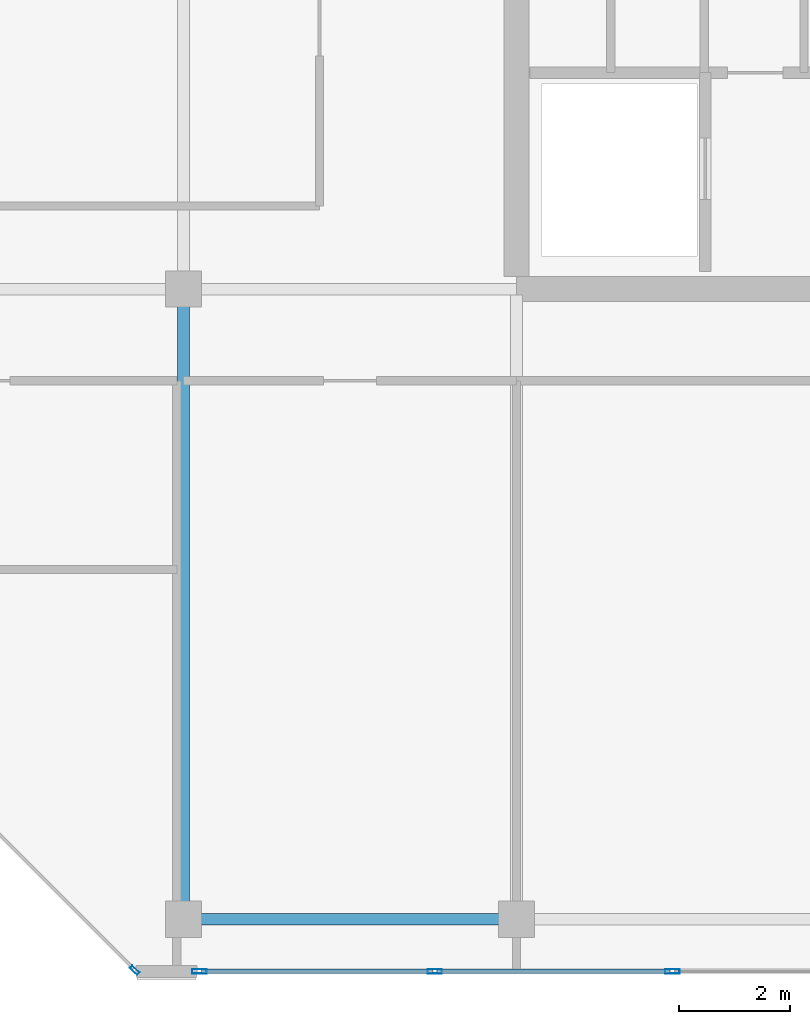
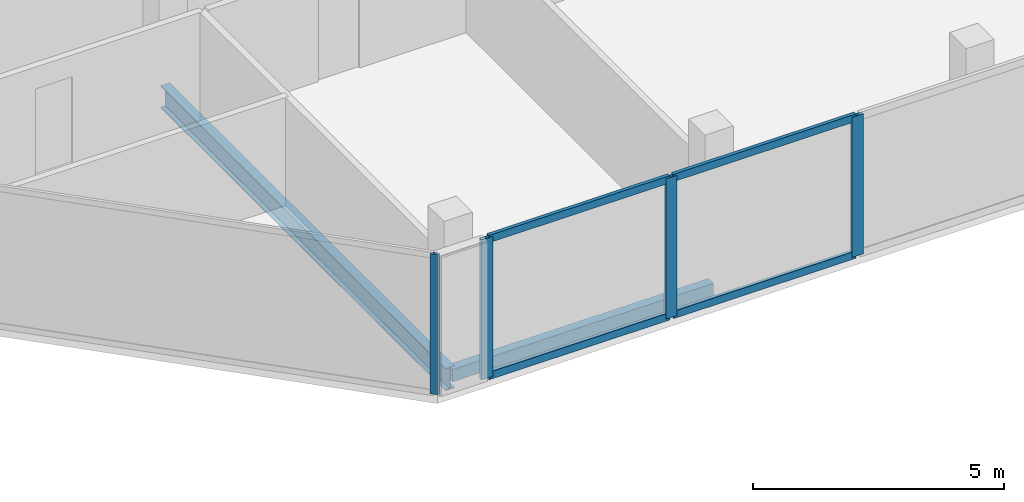
# One storey, part 10 of 28: 8 members, 2 beams, 2 elements without a shape of their own.
"""IFC4 building model written with IfcOpenShell, lengths in metres."""

import ifcopenshell
import ifcopenshell.guid

model = None  # the IFC model being written
_history = None  # IfcOwnerHistory: only IFC2X3 demands one
_inside = {}  # id of a spatial element -> (the spatial element, [elements in it])
_under = {}  # id of a project, library or spatial element -> (it, [spatial elements below it])
_declared = {}  # id of a project -> (the project, [libraries it declares])
_typed = {}  # id of a type object -> (the type object, [elements of that type])
_made_of = {}  # id of a material, layer set ... -> (it, [elements and type objects made of it])


def new_model(schema):
    """Start an empty IFC model of exactly this schema.

    Asked for "IFC4X3", IfcOpenShell would pick the latest addendum, in which some entities
    have other attributes; the version numbers below select the first issue.
    IFC2X3 requires an IfcOwnerHistory on every rooted entity: one is made here for all.
    """
    global model, _history
    if schema == "IFC4X3":
        model = ifcopenshell.file(schema_version=(4, 3, 0, 0))
    else:
        model = ifcopenshell.file(schema=schema)
    _inside.clear()
    _under.clear()
    _declared.clear()
    _typed.clear()
    _made_of.clear()
    _history = None
    if model.schema == "IFC2X3":
        org = make("IfcOrganization", Name="unknown")
        user = make(
            "IfcPersonAndOrganization",
            ThePerson=make("IfcPerson", FamilyName="unknown"),
            TheOrganization=org,
        )
        app = make(
            "IfcApplication",
            ApplicationDeveloper=org,
            Version="unknown",
            ApplicationFullName="unknown",
            ApplicationIdentifier="unknown",
        )
        _history = make(
            "IfcOwnerHistory",
            OwningUser=user,
            OwningApplication=app,
            ChangeAction="ADDED",
            CreationDate=0,
        )
    return model


def make(cls, **values):
    """One entity of the class cls with the attributes given. An attribute that is None is left unset."""
    return model.create_entity(
        cls, **{name: value for name, value in values.items() if value is not None}
    )


def rooted(cls, **values):
    """An entity with a GlobalId (a new one), such as an element, a storey or a relation."""
    return make(cls, GlobalId=ifcopenshell.guid.new(), OwnerHistory=_history, **values)


def si_unit(unit_type, name, prefix=None):
    """IfcSIUnit, for example si_unit("LENGTHUNIT", "METRE", prefix="MILLI")."""
    return make("IfcSIUnit", UnitType=unit_type, Prefix=prefix, Name=name)


def assignment(units):
    """IfcUnitAssignment: the units of a project."""
    return None if units is None else make("IfcUnitAssignment", Units=units)


def point(xyz):
    """IfcCartesianPoint."""
    return None if xyz is None else make("IfcCartesianPoint", Coordinates=xyz)


def direction(xyz):
    """IfcDirection."""
    return None if xyz is None else make("IfcDirection", DirectionRatios=xyz)


def frame(location, z_axis=None, x_axis=None):
    """IfcAxis2Placement3D, a coordinate frame: its origin and axes. An axis left out is left unset."""
    return make(
        "IfcAxis2Placement3D",
        Location=point(location),
        Axis=direction(z_axis),
        RefDirection=direction(x_axis),
    )


def frame_2d(location, x_axis=None):
    """IfcAxis2Placement2D, a coordinate frame in the plane: its origin and x axis."""
    return make(
        "IfcAxis2Placement2D", Location=point(location), RefDirection=direction(x_axis)
    )


def origin():
    """The frame at (0, 0, 0) with its axes left unset."""
    return frame((0.0, 0.0, 0.0))


def origin_2d():
    """The frame at (0, 0) in the plane with its x axis left unset."""
    return frame_2d((0.0, 0.0))


def place(relative_to, where):
    """IfcLocalPlacement: puts the frame where relative to a parent placement (None: the world)."""
    return make(
        "IfcLocalPlacement", PlacementRelTo=relative_to, RelativePlacement=where
    )


def context(
    kind, dimensions, precision=None, world=None, true_north=None, identifier=None
):
    """IfcGeometricRepresentationContext, for example the 3D "Model" context."""
    return make(
        "IfcGeometricRepresentationContext",
        ContextIdentifier=identifier,
        ContextType=kind,
        CoordinateSpaceDimension=dimensions,
        Precision=precision,
        WorldCoordinateSystem=world,
        TrueNorth=true_north,
    )


def subcontext(parent, identifier, kind, view, scale=None):
    """IfcGeometricRepresentationSubContext, for example "Body" below "Model"."""
    return make(
        "IfcGeometricRepresentationSubContext",
        ContextIdentifier=identifier,
        ContextType=kind,
        ParentContext=parent,
        TargetScale=scale,
        TargetView=view,
    )


def project(units=None, contexts=None):
    """IfcProject with its units and contexts."""
    return rooted(
        "IfcProject",
        Name="project",
        RepresentationContexts=contexts,
        UnitsInContext=assignment(units),
    )


def spatial(cls, under=None, at=None, **own):
    """A site, building, storey or space (cls), placed at a placement, below another one or the project."""
    s = rooted(cls, ObjectPlacement=at, **own)
    if under is not None:
        _under.setdefault(under.id(), (under, []))[1].append(s)
    return s


def profile(cls, at=None, kind="AREA", **sizes):
    """A parametric profile (cls). Its sizes go by their IFC names, for example OverallWidth=200.0."""
    return make(cls, ProfileType=kind, Position=at, **sizes)


def hollow_rectangle(**sizes):
    """IfcRectangleHollowProfileDef."""
    return profile("IfcRectangleHollowProfileDef", **sizes)


def i_section(**sizes):
    """IfcIShapeProfileDef."""
    return profile("IfcIShapeProfileDef", **sizes)


def extrude(swept, where, along, depth):
    """IfcExtrudedAreaSolid: the profile swept, set in the frame where, extruded along a direction by depth."""
    return make(
        "IfcExtrudedAreaSolid",
        SweptArea=swept,
        Position=where,
        ExtrudedDirection=direction(along),
        Depth=depth,
    )


def shape(context_of_items, identifier, shape_type, items):
    """IfcShapeRepresentation: the items that make up one representation, for example the "Body"."""
    return make(
        "IfcShapeRepresentation",
        ContextOfItems=context_of_items,
        RepresentationIdentifier=identifier,
        RepresentationType=shape_type,
        Items=items,
    )


def material(Name=None, Category=None):
    """IfcMaterial."""
    return make("IfcMaterial", Name=Name, Category=Category)


def layer(
    of_material, thickness, ventilated=None, Name=None, Category=None, Priority=None
):
    """IfcMaterialLayer: one layer of a wall or slab, of a material (None: an air gap)."""
    return make(
        "IfcMaterialLayer",
        Material=of_material,
        LayerThickness=thickness,
        IsVentilated=ventilated,
        Name=Name,
        Category=Category,
        Priority=Priority,
    )


def layer_set(layers, Name=None):
    """IfcMaterialLayerSet."""
    return make("IfcMaterialLayerSet", MaterialLayers=layers, LayerSetName=Name)


def material_profile(
    of_material, cross_section, Name=None, Category=None, Priority=None
):
    """IfcMaterialProfile: a cross section and its material."""
    return make(
        "IfcMaterialProfile",
        Name=Name,
        Material=of_material,
        Profile=cross_section,
        Priority=Priority,
        Category=Category,
    )


def profile_set(profiles, Name=None, composite=None):
    """IfcMaterialProfileSet."""
    return make(
        "IfcMaterialProfileSet",
        Name=Name,
        MaterialProfiles=profiles,
        CompositeProfile=composite,
    )


def made_of(thing, what):
    """Note that an element or type object is made of a material, layer set ...; save() writes the relation."""
    if what is not None:
        _made_of.setdefault(what.id(), (what, []))[1].append(thing)
    return thing


def type_object(cls, material=None, **own):
    """A type object (cls), such as IfcWallType, which elements share."""
    return made_of(rooted(cls, **own), material)


def element(
    cls,
    number,
    at=None,
    inside=None,
    cuts=None,
    type_object=None,
    material=None,
    context=None,
    identifier="Body",
    shape_type=None,
    held_by="IfcProductDefinitionShape",
    body=None,
    shapes=None,
    **own,
):
    """One element of the class cls, such as IfcWall. Its Tag is "e" and its number.

    at: its placement. inside: the storey or other place that contains it. cuts: it is an
    opening in that element (IfcRelVoidsElement). A single representation is given by context,
    identifier, shape_type and body (its items); several are given by shapes. held_by: the class
    of the entity that holds the representations. save() writes the other relations.
    """
    e = rooted(cls, Tag="e%d" % number, ObjectPlacement=at, **own)
    if body is not None:
        shapes = [shape(context, identifier, shape_type, body)]
    if shapes is not None:
        e.Representation = make(held_by, Representations=shapes)
    if inside is not None:
        _inside.setdefault(inside.id(), (inside, []))[1].append(e)
    if cuts is not None:
        rooted(
            "IfcRelVoidsElement", RelatingBuildingElement=cuts, RelatedOpeningElement=e
        )
    if type_object is not None:
        _typed.setdefault(type_object.id(), (type_object, []))[1].append(e)
    return made_of(e, material)


def aggregate(whole, parts):
    """IfcRelAggregates: a whole, such as a stair, and the parts it consists of."""
    return rooted("IfcRelAggregates", RelatingObject=whole, RelatedObjects=parts)


def save(model, path):
    """Write the relations noted so far, then the file.

    IfcRelAggregates (storeys below a building ...), IfcRelContainedInSpatialStructure (elements
    in a storey), IfcRelDefinesByType, IfcRelAssociatesMaterial and IfcRelDeclares: one each for
    every whole, place, type object, material and project.
    """
    for whole, parts in _under.values():
        aggregate(whole, parts)
    for where, things in _inside.values():
        rooted(
            "IfcRelContainedInSpatialStructure",
            RelatedElements=things,
            RelatingStructure=where,
        )
    for kind, things in _typed.values():
        rooted("IfcRelDefinesByType", RelatedObjects=things, RelatingType=kind)
    for what, things in _made_of.values():
        rooted("IfcRelAssociatesMaterial", RelatedObjects=things, RelatingMaterial=what)
    for by, libraries in _declared.values():
        rooted("IfcRelDeclares", RelatingContext=by, RelatedDefinitions=libraries)
    model.write(path)


model = new_model("IFC4")

# Units and contexts
model_context = context("Model", 3, precision=1e-05, world=origin(), true_north=direction((0.0, 1.0)))
body_context = subcontext(model_context, "Body", "Model", "MODEL_VIEW")
ifc_project = project(units=[si_unit("LENGTHUNIT", "METRE"), si_unit("AREAUNIT", "SQUARE_METRE"), si_unit("VOLUMEUNIT", "CUBIC_METRE"), si_unit("PLANEANGLEUNIT", "RADIAN"), si_unit("MASSUNIT", "GRAM", prefix="KILO")], contexts=[model_context])

# Site, building, storey
site_placement = place(None, origin())
site = spatial("IfcSite", under=ifc_project, at=site_placement, CompositionType="ELEMENT")
building_placement = place(site_placement, origin())
building = spatial("IfcBuilding", under=site, at=building_placement, Name="Tanjung Sevakor Pilgrim Tower", CompositionType="ELEMENT")
storey_placement = place(building_placement, frame((0.0, 0.0, 257.070068359375)))
storey = spatial("IfcBuildingStorey", under=building, at=storey_placement, Name="L72", CompositionType="ELEMENT", Elevation=257.070068359375)

# Beams
ifc_material_1 = material(Name="Steel S355J2", Category="steel")
ifc_material_profile_1 = material_profile(ifc_material_1, i_section(OverallWidth=0.210693359375, OverallDepth=0.53955078125, WebThickness=0.01171875, FlangeThickness=0.018798828125, FilletRadius=0.0126953125, at=origin_2d()))
ifc_profile_set_1 = profile_set([ifc_material_profile_1], Name="Steel S355J2")
beam_type_1 = type_object("IfcBeamType", Name="BM-B-G6-UB_533x210x109", PredefinedType="BEAM", material=ifc_profile_set_1)
beam_1_placement = place(storey_placement, frame((72.0, 13.25, -0.48974609375), z_axis=(0.0, 1.0, 0.0), x_axis=(-1.0, 0.0, 0.0)))
element("IfcBeam", 1, at=beam_1_placement, inside=storey, type_object=beam_type_1, Name="L72 EAST Girder 002", PredefinedType="BEAM", context=body_context, shape_type="SweptSolid", body=[
    extrude(i_section(OverallWidth=0.210693359375, OverallDepth=0.53955078125, WebThickness=0.01171875, FlangeThickness=0.018798828125, FilletRadius=0.0126953125, at=origin_2d()), origin(), (0.0, 0.0, 1.0), 11.35009765625),
])
ifc_material_2 = material(Name="Steel S355J2", Category="steel")
ifc_material_profile_2 = material_profile(ifc_material_2, hollow_rectangle(XDim=0.199951171875, YDim=0.300048828125, WallThickness=0.012451171875, at=origin_2d()))
ifc_profile_set_2 = profile_set([ifc_material_profile_2], Name="Steel S355J2")
beam_type_2 = type_object("IfcBeamType", Name="BM-B-SP3-RHS_300x200x12.5", PredefinedType="SPANDREL", material=ifc_profile_set_2)
beam_2_placement = place(storey_placement, frame((72.0, 13.25, -0.3701171875), z_axis=(1.0, 0.0, 0.0), x_axis=(0.0, 1.0, 0.0)))
element("IfcBeam", 2, at=beam_2_placement, inside=storey, type_object=beam_type_2, Name="L72 Spandrel EAST S-01", PredefinedType="SPANDREL", context=body_context, shape_type="SweptSolid", body=[
    extrude(hollow_rectangle(XDim=0.199951171875, YDim=0.300048828125, WallThickness=0.012451171875, at=origin_2d()), origin(), (0.0, 0.0, 1.0), 6.0),
])

# Curtain wall, member
ifc_material_3 = material(Name="Aluminium 6063-T6 and Low-E Glass", Category="aluminium")
ifc_layer_1 = layer(ifc_material_3, 0.179931640625)
ifc_layer_set_1 = layer_set([ifc_layer_1], Name="CW-SYS-CHAM")
curtain_wall_type_1 = type_object("IfcCurtainWallType", Name="CW-SYS-CHAM", PredefinedType="NOTDEFINED", material=ifc_layer_set_1)
curtain_wall_1_placement = place(storey_placement, origin())
curtain_wall_1 = element("IfcCurtainWall", 3, at=curtain_wall_1_placement, inside=storey, type_object=curtain_wall_type_1, Name="L72 Curtain Wall CW-CHM-L72-EAST-7", PredefinedType="NOTDEFINED")
ifc_material_4 = material(Name="Aluminium 6063-T6", Category="aluminium")
ifc_material_profile_3 = material_profile(ifc_material_4, hollow_rectangle(XDim=0.06494140625, YDim=0.179931640625, WallThickness=0.00390625, at=origin_2d()))
ifc_profile_set_3 = profile_set([ifc_material_profile_3], Name="Aluminium 6063-T6")
member_type_1 = type_object("IfcMemberType", Name="TYPE-CWM-1", PredefinedType="MULLION", material=ifc_profile_set_3)
member_1_placement = place(storey_placement, frame((71.12255859375, 12.3330078125, 0.0), z_axis=(0.0, 0.0, 1.0), x_axis=(0.707106781187, 0.707106781187, 0.0)))
member_1 = element("IfcMember", 4, at=member_1_placement, type_object=member_type_1, Name="CW-CHM mullion 2", PredefinedType="MULLION", context=body_context, shape_type="SweptSolid", body=[
    extrude(hollow_rectangle(XDim=0.06494140625, YDim=0.179931640625, WallThickness=0.00390625, at=origin_2d()), origin(), (0.0, 0.0, 1.0), 3.409912109375),
])
aggregate(curtain_wall_1, [member_1])

# Curtain wall, members
ifc_material_5 = material(Name="Aluminium 6063-T6 and Low-E Glass", Category="aluminium")
ifc_layer_2 = layer(ifc_material_5, 0.219970703125)
ifc_layer_set_2 = layer_set([ifc_layer_2], Name="CW-SYS-CRNE")
curtain_wall_type_2 = type_object("IfcCurtainWallType", Name="CW-SYS-CRNE", PredefinedType="NOTDEFINED", material=ifc_layer_set_2)
curtain_wall_2_placement = place(storey_placement, origin())
curtain_wall_2 = element("IfcCurtainWall", 5, at=curtain_wall_2_placement, inside=storey, type_object=curtain_wall_type_2, Name="L72 Curtain Wall CW-CRN-L72-EAST-0-1", PredefinedType="NOTDEFINED")
ifc_material_6 = material(Name="Aluminium 6063-T6", Category="aluminium")
ifc_material_profile_4 = material_profile(ifc_material_6, hollow_rectangle(XDim=0.080078125, YDim=0.260009765625, WallThickness=0.0048828125, at=origin_2d()))
ifc_profile_set_4 = profile_set([ifc_material_profile_4], Name="Aluminium 6063-T6")
member_type_2 = type_object("IfcMemberType", Name="TYPE-CWM-3", PredefinedType="MULLION", material=ifc_profile_set_4)
member_2_placement = place(storey_placement, frame((72.28564453125, 12.31005859375, 0.0), z_axis=(0.0, 0.0, 1.0), x_axis=(0.0, 1.0, 0.0)))
member_2 = element("IfcMember", 6, at=member_2_placement, type_object=member_type_2, Name="CW-CRE mullion 1", PredefinedType="MULLION", context=body_context, shape_type="SweptSolid", body=[
    extrude(hollow_rectangle(XDim=0.080078125, YDim=0.260009765625, WallThickness=0.0048828125, at=origin_2d()), origin(), (0.0, 0.0, 1.0), 3.409912109375),
])
member_3_placement = place(storey_placement, frame((76.52734375, 12.31005859375, 0.0), z_axis=(0.0, 0.0, 1.0), x_axis=(0.0, 1.0, 0.0)))
member_3 = element("IfcMember", 7, at=member_3_placement, type_object=member_type_2, Name="CW-CRE mullion 2", PredefinedType="MULLION", context=body_context, shape_type="SweptSolid", body=[
    extrude(hollow_rectangle(XDim=0.080078125, YDim=0.260009765625, WallThickness=0.0048828125, at=origin_2d()), origin(), (0.0, 0.0, 1.0), 3.409912109375),
])
member_4_placement = place(storey_placement, frame((80.80908203125, 12.31005859375, 0.0), z_axis=(0.0, 0.0, 1.0), x_axis=(0.0, 1.0, 0.0)))
member_4 = element("IfcMember", 8, at=member_4_placement, type_object=member_type_2, Name="CW-CRE mullion 3", PredefinedType="MULLION", context=body_context, shape_type="SweptSolid", body=[
    extrude(hollow_rectangle(XDim=0.080078125, YDim=0.260009765625, WallThickness=0.0048828125, at=origin_2d()), origin(), (0.0, 0.0, 1.0), 3.409912109375),
])
ifc_material_7 = material(Name="Aluminium 6063-T6", Category="aluminium")
ifc_material_profile_5 = material_profile(ifc_material_7, hollow_rectangle(XDim=0.080078125, YDim=0.179931640625, WallThickness=0.0048828125, at=origin_2d()))
ifc_profile_set_5 = profile_set([ifc_material_profile_5], Name="Aluminium 6063-T6")
member_type_3 = type_object("IfcMemberType", Name="TYPE-CWT-3", PredefinedType="USERDEFINED", material=ifc_profile_set_5)
member_5_placement = place(storey_placement, frame((72.32568359375, 12.31005859375, 0.0400390625), z_axis=(1.0, 0.0, 0.0), x_axis=(0.0, 1.0, 0.0)))
member_5 = element("IfcMember", 9, at=member_5_placement, type_object=member_type_3, Name="CW-CRE transom 1.1", ObjectType="TRANSOM", PredefinedType="USERDEFINED", context=body_context, shape_type="SweptSolid", body=[
    extrude(hollow_rectangle(XDim=0.080078125, YDim=0.179931640625, WallThickness=0.0048828125, at=origin_2d()), origin(), (0.0, 0.0, 1.0), 4.16162109375),
])
member_6_placement = place(storey_placement, frame((72.32568359375, 12.31005859375, 3.369873046875), z_axis=(1.0, 0.0, 0.0), x_axis=(0.0, 1.0, 0.0)))
member_6 = element("IfcMember", 10, at=member_6_placement, type_object=member_type_3, Name="CW-CRE transom 1.2", ObjectType="TRANSOM", PredefinedType="USERDEFINED", context=body_context, shape_type="SweptSolid", body=[
    extrude(hollow_rectangle(XDim=0.080078125, YDim=0.179931640625, WallThickness=0.0048828125, at=origin_2d()), origin(), (0.0, 0.0, 1.0), 4.16162109375),
])
member_7_placement = place(storey_placement, frame((76.5673828125, 12.31005859375, 0.0400390625), z_axis=(1.0, 0.0, 0.0), x_axis=(0.0, 1.0, 0.0)))
member_7 = element("IfcMember", 11, at=member_7_placement, type_object=member_type_3, Name="CW-CRE transom 2.1", ObjectType="TRANSOM", PredefinedType="USERDEFINED", context=body_context, shape_type="SweptSolid", body=[
    extrude(hollow_rectangle(XDim=0.080078125, YDim=0.179931640625, WallThickness=0.0048828125, at=origin_2d()), origin(), (0.0, 0.0, 1.0), 4.20166015625),
])
member_8_placement = place(storey_placement, frame((76.5673828125, 12.31005859375, 3.369873046875), z_axis=(1.0, 0.0, 0.0), x_axis=(0.0, 1.0, 0.0)))
member_8 = element("IfcMember", 12, at=member_8_placement, type_object=member_type_3, Name="CW-CRE transom 2.2", ObjectType="TRANSOM", PredefinedType="USERDEFINED", context=body_context, shape_type="SweptSolid", body=[
    extrude(hollow_rectangle(XDim=0.080078125, YDim=0.179931640625, WallThickness=0.0048828125, at=origin_2d()), origin(), (0.0, 0.0, 1.0), 4.20166015625),
])
aggregate(curtain_wall_2, [member_2, member_3, member_4, member_5, member_6, member_7, member_8])

save(model, "model.ifc")
